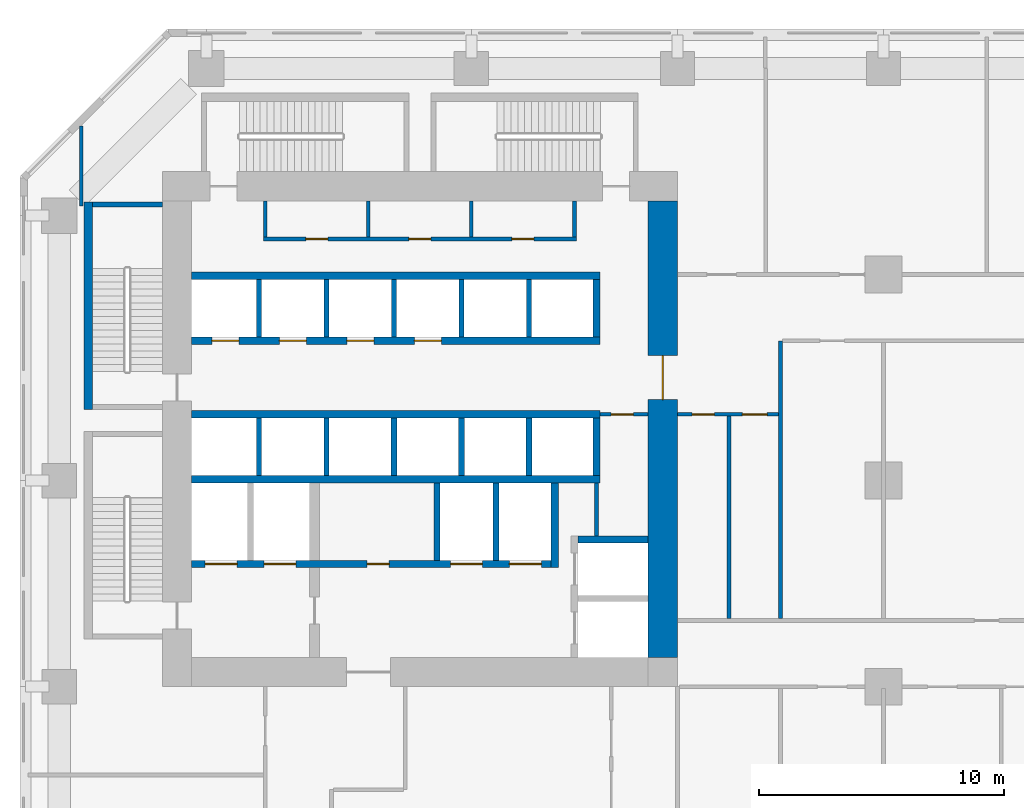
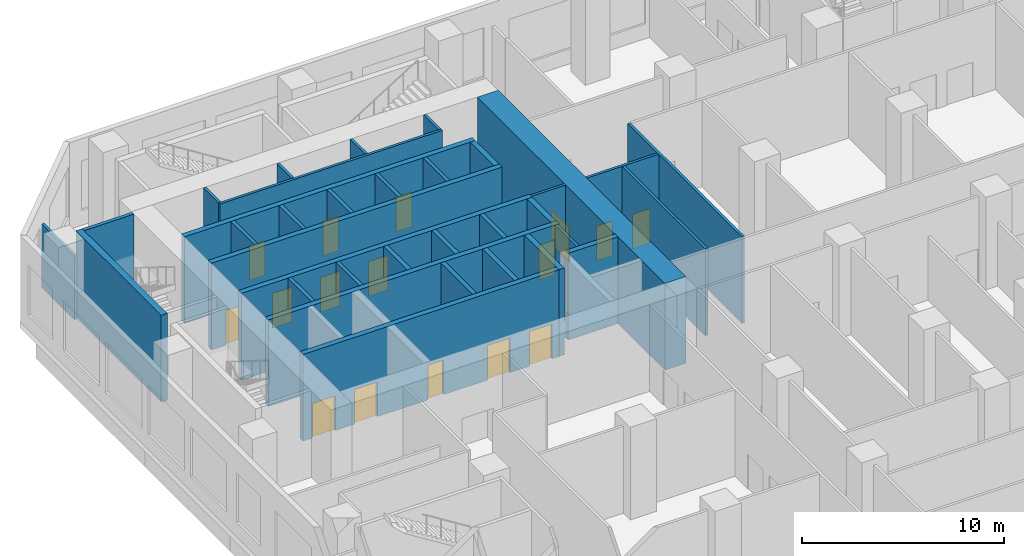
# One storey, part 9 of 19: 35 walls, 16 doors, 16 openings.
"""IFC4 building model written with IfcOpenShell, lengths in metres."""

from ifc_helpers import new_model, si_unit, direction, frame, frame_2d, origin, place, context, subcontext, project, spatial, rectangle, extrude, material, layer, layer_set, type_object, element, fill, save


model = new_model("IFC4")

# Units and contexts
model_context = context("Model", 3, precision=1e-05, world=origin(), true_north=direction((0.0, 1.0)))
body_context = subcontext(model_context, "Body", "Model", "MODEL_VIEW")
ifc_project = project(units=[si_unit("LENGTHUNIT", "METRE"), si_unit("AREAUNIT", "SQUARE_METRE"), si_unit("VOLUMEUNIT", "CUBIC_METRE"), si_unit("PLANEANGLEUNIT", "RADIAN"), si_unit("MASSUNIT", "GRAM", prefix="KILO")], contexts=[model_context])

# Site, building, storey
site_placement = place(None, origin())
site = spatial("IfcSite", under=ifc_project, at=site_placement, CompositionType="ELEMENT")
building_placement = place(site_placement, origin())
building = spatial("IfcBuilding", under=site, at=building_placement, Name="Kawkab Arch Medical Tower", CompositionType="ELEMENT")
storey_placement = place(building_placement, frame((0.0, 0.0, 12.60009765625)))
storey = spatial("IfcBuildingStorey", under=building, at=storey_placement, Name="L03", CompositionType="ELEMENT", Elevation=12.60009765625)

# Wall, opening, door
ifc_material_1 = material(Name="Concrete C60/75", Category="concrete")
ifc_layer_1 = layer(ifc_material_1, 1.199951171875)
ifc_layer_set_1 = layer_set([ifc_layer_1], Name="Concrete C60/75")
wall_type_1 = type_object("IfcWallType", Name="Core ring wall 1200 C60/75", PredefinedType="SHEAR", material=ifc_layer_set_1)
wall_1_placement = place(storey_placement, frame((24.60009765625, -24.0, 0.0), z_axis=(0.0, 0.0, 1.0), x_axis=(0.0, 1.0, 0.0)))
wall_1 = element("IfcWall", 1, at=wall_1_placement, inside=storey, type_object=wall_type_1, Name="L03 core wall", PredefinedType="SHEAR", context=body_context, shape_type="SweptSolid", body=[
    extrude(rectangle(XDim=18.60009765625, YDim=1.199951171875, at=frame_2d((9.300048828125, 0.0))), origin(), (0.0, 0.0, 1.0), 5.25),
])
opening_1_placement = place(wall_1_placement, frame((10.5, 0.0, 0.0)))
opening_1 = element("IfcOpeningElement", 2, at=opening_1_placement, cuts=wall_1, Name="Opening PD", PredefinedType="OPENING", context=body_context, shape_type="SweptSolid", body=[
    extrude(rectangle(XDim=1.800048828125, YDim=2.10009765625, at=frame_2d((0.89990234375, 1.050048828125))), frame((0.0, 0.60986328125, 0.0), z_axis=(0.0, -1.0, 0.0), x_axis=(1.0, 0.0, 0.0)), (0.0, 0.0, 1.0), 1.219970703125),
])
ifc_material_2 = material(Name="Hollow metal fire door leaf")
door_type_1 = type_object("IfcDoorType", Name="Core entrance doors 1800", OperationType="DOUBLE_DOOR_SINGLE_SWING", PredefinedType="DOOR", material=ifc_material_2)
door_1_placement = place(opening_1_placement, origin())
door_1 = element("IfcDoor", 3, at=door_1_placement, inside=storey, type_object=door_type_1, Name="L03 East entrance doors", OperationType="DOUBLE_DOOR_SINGLE_SWING", OverallHeight=2.10009765625, OverallWidth=1.800048828125, PredefinedType="DOOR", context=body_context, shape_type="SweptSolid", body=[
    extrude(rectangle(XDim=1.800048828125, YDim=2.10009765625, at=frame_2d((0.89990234375, 1.050048828125))), frame((0.0, 0.02490234375, 0.0), z_axis=(0.0, -1.0, 0.0), x_axis=(1.0, 0.0, 0.0)), (0.0, 0.0, 1.0), 0.050048828125),
])
fill(opening_1, door_1)

# Wall
ifc_material_3 = material(Name="Gypsum board on steel studs", Category="steel")
ifc_layer_2 = layer(ifc_material_3, 0.14990234375)
ifc_layer_set_2 = layer_set([ifc_layer_2], Name="Gypsum board on steel studs")
wall_type_2 = type_object("IfcWallType", Name="Core room partition 150", PredefinedType="PARTITIONING", material=ifc_layer_set_2)
wall_2_placement = place(storey_placement, frame((21.89990234375, -19.050048828125, 0.0), z_axis=(0.0, 0.0, 1.0), x_axis=(0.0, 1.0, 0.0)))
element("IfcWall", 4, at=wall_2_placement, inside=storey, type_object=wall_type_2, Name="L03 core room partition", PredefinedType="PARTITIONING", context=body_context, shape_type="SweptSolid", body=[
    extrude(rectangle(XDim=2.150146484375, YDim=0.14990234375, at=frame_2d((1.0751953125, 0.0))), origin(), (0.0, 0.0, 1.0), 5.25),
])

# Wall, opening, door
wall_3_placement = place(storey_placement, frame((22.050048828125, -14.10009765625, 0.0), z_axis=(0.0, 0.0, 1.0), x_axis=(1.0, 0.0, 0.0)))
wall_3 = element("IfcWall", 5, at=wall_3_placement, inside=storey, type_object=wall_type_2, Name="L03 core room partition", PredefinedType="PARTITIONING", context=body_context, shape_type="SweptSolid", body=[
    extrude(rectangle(XDim=1.949951171875, YDim=0.14990234375, at=frame_2d((0.97509765625, 0.0))), origin(), (0.0, 0.0, 1.0), 5.25),
])
opening_2_placement = place(wall_3_placement, frame((0.449951171875, 0.0, 0.0)))
opening_2 = element("IfcOpeningElement", 6, at=opening_2_placement, cuts=wall_3, Name="Opening RD", PredefinedType="OPENING", context=body_context, shape_type="SweptSolid", body=[
    extrude(rectangle(XDim=0.89990234375, YDim=2.10009765625, at=frame_2d((0.449951171875, 1.050048828125))), frame((0.0, 0.0849609375, 0.0), z_axis=(0.0, -1.0, 0.0), x_axis=(1.0, 0.0, 0.0)), (0.0, 0.0, 1.0), 0.169921875),
])
ifc_material_4 = material(Name="Hollow metal fire door leaf")
door_type_2 = type_object("IfcDoorType", Name="Core room door 900", OperationType="SINGLE_SWING_LEFT", PredefinedType="DOOR", material=ifc_material_4)
door_2_placement = place(opening_2_placement, origin())
door_2 = element("IfcDoor", 7, at=door_2_placement, inside=storey, type_object=door_type_2, Name="L03 Clean utility room door", OperationType="SINGLE_SWING_LEFT", OverallHeight=2.10009765625, OverallWidth=0.89990234375, PredefinedType="DOOR", context=body_context, shape_type="SweptSolid", body=[
    extrude(rectangle(XDim=0.89990234375, YDim=2.10009765625, at=frame_2d((0.449951171875, 1.050048828125))), frame((0.0, 0.02490234375, 0.0), z_axis=(0.0, -1.0, 0.0), x_axis=(1.0, 0.0, 0.0)), (0.0, 0.0, 1.0), 0.050048828125),
])
fill(opening_2, door_2)

# Wall, openings, doors
wall_4_placement = place(storey_placement, frame((8.324951171875, -6.949951171875, 0.0), z_axis=(0.0, 0.0, 1.0), x_axis=(1.0, 0.0, 0.0)))
wall_4 = element("IfcWall", 8, at=wall_4_placement, inside=storey, type_object=wall_type_2, Name="L03 core room partition", PredefinedType="PARTITIONING", context=body_context, shape_type="SweptSolid", body=[
    extrude(rectangle(XDim=12.75, YDim=0.14990234375, at=frame_2d((6.375, 0.0))), origin(), (0.0, 0.0, 1.0), 5.25),
])
opening_3_placement = place(wall_4_placement, frame((1.72509765625, 0.0, 0.0)))
opening_3 = element("IfcOpeningElement", 9, at=opening_3_placement, cuts=wall_4, Name="Opening RD", PredefinedType="OPENING", context=body_context, shape_type="SweptSolid", body=[
    extrude(rectangle(XDim=0.89990234375, YDim=2.10009765625, at=frame_2d((0.449951171875, 1.050048828125))), frame((0.0, 0.0849609375, 0.0), z_axis=(0.0, -1.0, 0.0), x_axis=(1.0, 0.0, 0.0)), (0.0, 0.0, 1.0), 0.169921875),
])
opening_4_placement = place(wall_4_placement, frame((5.925048828125, 0.0, 0.0)))
opening_4 = element("IfcOpeningElement", 10, at=opening_4_placement, cuts=wall_4, Name="Opening RD", PredefinedType="OPENING", context=body_context, shape_type="SweptSolid", body=[
    extrude(rectangle(XDim=0.89990234375, YDim=2.10009765625, at=frame_2d((0.449951171875, 1.050048828125))), frame((0.0, 0.0849609375, 0.0), z_axis=(0.0, -1.0, 0.0), x_axis=(1.0, 0.0, 0.0)), (0.0, 0.0, 1.0), 0.169921875),
])
opening_5_placement = place(wall_4_placement, frame((10.125, 0.0, 0.0)))
opening_5 = element("IfcOpeningElement", 11, at=opening_5_placement, cuts=wall_4, Name="Opening RD", PredefinedType="OPENING", context=body_context, shape_type="SweptSolid", body=[
    extrude(rectangle(XDim=0.89990234375, YDim=2.10009765625, at=frame_2d((0.449951171875, 1.050048828125))), frame((0.0, 0.0849609375, 0.0), z_axis=(0.0, -1.0, 0.0), x_axis=(1.0, 0.0, 0.0)), (0.0, 0.0, 1.0), 0.169921875),
])
door_3_placement = place(opening_3_placement, origin())
door_3 = element("IfcDoor", 12, at=door_3_placement, inside=storey, type_object=door_type_2, Name="L03 Electrical riser room door", OperationType="SINGLE_SWING_LEFT", OverallHeight=2.10009765625, OverallWidth=0.89990234375, PredefinedType="DOOR", context=body_context, shape_type="SweptSolid", body=[
    extrude(rectangle(XDim=0.89990234375, YDim=2.10009765625, at=frame_2d((0.449951171875, 1.050048828125))), frame((0.0, 0.02490234375, 0.0), z_axis=(0.0, -1.0, 0.0), x_axis=(1.0, 0.0, 0.0)), (0.0, 0.0, 1.0), 0.050048828125),
])
fill(opening_3, door_3)
door_4_placement = place(opening_4_placement, origin())
door_4 = element("IfcDoor", 13, at=door_4_placement, inside=storey, type_object=door_type_2, Name="L03 Equipment store door", OperationType="SINGLE_SWING_LEFT", OverallHeight=2.10009765625, OverallWidth=0.89990234375, PredefinedType="DOOR", context=body_context, shape_type="SweptSolid", body=[
    extrude(rectangle(XDim=0.89990234375, YDim=2.10009765625, at=frame_2d((0.449951171875, 1.050048828125))), frame((0.0, 0.02490234375, 0.0), z_axis=(0.0, -1.0, 0.0), x_axis=(1.0, 0.0, 0.0)), (0.0, 0.0, 1.0), 0.050048828125),
])
fill(opening_4, door_4)
door_5_placement = place(opening_5_placement, origin())
door_5 = element("IfcDoor", 14, at=door_5_placement, inside=storey, type_object=door_type_2, Name="L03 Sprinkler valve room door", OperationType="SINGLE_SWING_LEFT", OverallHeight=2.10009765625, OverallWidth=0.89990234375, PredefinedType="DOOR", context=body_context, shape_type="SweptSolid", body=[
    extrude(rectangle(XDim=0.89990234375, YDim=2.10009765625, at=frame_2d((0.449951171875, 1.050048828125))), frame((0.0, 0.02490234375, 0.0), z_axis=(0.0, -1.0, 0.0), x_axis=(1.0, 0.0, 0.0)), (0.0, 0.0, 1.0), 0.050048828125),
])
fill(opening_5, door_5)

# Walls
for number, where, z_axis, x_axis, name in (
    (15, (8.39990234375, -6.875, 0.0), (0.0, 0.0, 1.0), (0.0, 1.0, 0.0), "L03 core room partition"),
    (16, (12.60009765625, -6.875, 0.0), (0.0, 0.0, 1.0), (0.0, 1.0, 0.0), "L03 core room partition"),
    (17, (16.800048828125, -6.875, 0.0), (0.0, 0.0, 1.0), (0.0, 1.0, 0.0), "L03 core room partition"),
    (18, (21.0, -6.875, 0.0), (0.0, 0.0, 1.0), (0.0, 1.0, 0.0), "L03 core room partition"),
):
    element("IfcWall", number, at=place(storey_placement, frame(where, z_axis=z_axis, x_axis=x_axis)), inside=storey, type_object=wall_type_2, Name=name, PredefinedType="PARTITIONING", context=body_context, shape_type="SweptSolid", body=[
        extrude(rectangle(XDim=1.47509765625, YDim=0.14990234375, at=frame_2d((0.737548828125, 0.0))), origin(), (0.0, 0.0, 1.0), 5.25),
    ])
ifc_material_5 = material(Name="Concrete C60/75", Category="concrete")
ifc_layer_3 = layer(ifc_material_5, 0.25)
ifc_layer_set_3 = layer_set([ifc_layer_3], Name="Concrete C60/75")
wall_type_3 = type_object("IfcWallType", Name="Core shear wall 250 C60/75", PredefinedType="SHEAR", material=ifc_layer_set_3)
for number, where, z_axis, x_axis, name in (
    (19, (15.39990234375, -20.050048828125, 0.0), (0.0, 0.0, 1.0), (0.0, 1.0, 0.0), "L03 core shear wall"),
    (20, (17.800048828125, -20.050048828125, 0.0), (0.0, 0.0, 1.0), (0.0, 1.0, 0.0), "L03 core shear wall"),
):
    element("IfcWall", number, at=place(storey_placement, frame(where, z_axis=z_axis, x_axis=x_axis)), inside=storey, type_object=wall_type_3, Name=name, PredefinedType="SHEAR", context=body_context, shape_type="SweptSolid", body=[
        extrude(rectangle(XDim=3.150146484375, YDim=0.25, at=frame_2d((1.5751953125, 0.0))), origin(), (0.0, 0.0, 1.0), 5.25),
    ])
for number, where, z_axis, x_axis, name in (
    (21, (13.64990234375, -16.60009765625, 0.0), (0.0, 0.0, 1.0), (0.0, 1.0, 0.0), "L03 core shear wall"),
    (22, (16.39990234375, -16.60009765625, 0.0), (0.0, 0.0, 1.0), (0.0, 1.0, 0.0), "L03 core shear wall"),
    (23, (19.14990234375, -16.60009765625, 0.0), (0.0, 0.0, 1.0), (0.0, 1.0, 0.0), "L03 core shear wall"),
):
    element("IfcWall", number, at=place(storey_placement, frame(where, z_axis=z_axis, x_axis=x_axis)), inside=storey, type_object=wall_type_3, Name=name, PredefinedType="SHEAR", context=body_context, shape_type="SweptSolid", body=[
        extrude(rectangle(XDim=2.35009765625, YDim=0.25, at=frame_2d((1.175048828125, 0.0))), origin(), (0.0, 0.0, 1.0), 5.25),
    ])
ifc_material_6 = material(Name="Concrete C60/75", Category="concrete")
ifc_layer_4 = layer(ifc_material_6, 0.300048828125)
ifc_layer_set_4 = layer_set([ifc_layer_4], Name="Concrete C60/75")
wall_type_4 = type_object("IfcWallType", Name="Core shear wall 300 C60/75", PredefinedType="SHEAR", material=ifc_layer_set_4)
wall_5_placement = place(storey_placement, frame((5.39990234375, -8.449951171875, 0.0), z_axis=(0.0, 0.0, 1.0), x_axis=(1.0, 0.0, 0.0)))
element("IfcWall", 24, at=wall_5_placement, inside=storey, type_object=wall_type_4, Name="L03 core shear wall", PredefinedType="SHEAR", context=body_context, shape_type="SweptSolid", body=[
    extrude(rectangle(XDim=16.650146484375, YDim=0.300048828125, at=frame_2d((8.3251953125, 0.0))), origin(), (0.0, 0.0, 1.0), 5.25),
])

# Wall, openings, doors
wall_6_placement = place(storey_placement, frame((5.39990234375, -11.10009765625, 0.0), z_axis=(0.0, 0.0, 1.0), x_axis=(1.0, 0.0, 0.0)))
wall_6 = element("IfcWall", 25, at=wall_6_placement, inside=storey, type_object=wall_type_4, Name="L03 core shear wall", PredefinedType="SHEAR", context=body_context, shape_type="SweptSolid", body=[
    extrude(rectangle(XDim=16.650146484375, YDim=0.300048828125, at=frame_2d((8.3251953125, 0.0))), origin(), (0.0, 0.0, 1.0), 5.25),
])
opening_6_placement = place(wall_6_placement, frame((0.824951171875, 0.0, 0.0)))
opening_6 = element("IfcOpeningElement", 26, at=opening_6_placement, cuts=wall_6, Name="Opening LD1", PredefinedType="OPENING", context=body_context, shape_type="SweptSolid", body=[
    extrude(rectangle(XDim=1.10009765625, YDim=2.10009765625, at=frame_2d((0.550048828125, 1.050048828125))), frame((0.0, 0.159912109375, 0.0), z_axis=(0.0, -1.0, 0.0), x_axis=(1.0, 0.0, 0.0)), (0.0, 0.0, 1.0), 0.320068359375),
])
opening_7_placement = place(wall_6_placement, frame((3.574951171875, 0.0, 0.0)))
opening_7 = element("IfcOpeningElement", 27, at=opening_7_placement, cuts=wall_6, Name="Opening LD1", PredefinedType="OPENING", context=body_context, shape_type="SweptSolid", body=[
    extrude(rectangle(XDim=1.10009765625, YDim=2.10009765625, at=frame_2d((0.550048828125, 1.050048828125))), frame((0.0, 0.159912109375, 0.0), z_axis=(0.0, -1.0, 0.0), x_axis=(1.0, 0.0, 0.0)), (0.0, 0.0, 1.0), 0.320068359375),
])
opening_8_placement = place(wall_6_placement, frame((6.324951171875, 0.0, 0.0)))
opening_8 = element("IfcOpeningElement", 28, at=opening_8_placement, cuts=wall_6, Name="Opening LD1", PredefinedType="OPENING", context=body_context, shape_type="SweptSolid", body=[
    extrude(rectangle(XDim=1.10009765625, YDim=2.10009765625, at=frame_2d((0.550048828125, 1.050048828125))), frame((0.0, 0.159912109375, 0.0), z_axis=(0.0, -1.0, 0.0), x_axis=(1.0, 0.0, 0.0)), (0.0, 0.0, 1.0), 0.320068359375),
])
opening_9_placement = place(wall_6_placement, frame((9.074951171875, 0.0, 0.0)))
opening_9 = element("IfcOpeningElement", 29, at=opening_9_placement, cuts=wall_6, Name="Opening LD1", PredefinedType="OPENING", context=body_context, shape_type="SweptSolid", body=[
    extrude(rectangle(XDim=1.10009765625, YDim=2.10009765625, at=frame_2d((0.550048828125, 1.050048828125))), frame((0.0, 0.159912109375, 0.0), z_axis=(0.0, -1.0, 0.0), x_axis=(1.0, 0.0, 0.0)), (0.0, 0.0, 1.0), 0.320068359375),
])
ifc_material_7 = material(Name="Stainless steel lift door leaf", Category="steel")
door_type_3 = type_object("IfcDoorType", Name="Lift landing door 1100", OperationType="DOUBLE_DOOR_SLIDING", PredefinedType="DOOR", material=ifc_material_7)
door_6_placement = place(opening_6_placement, origin())
door_6 = element("IfcDoor", 30, at=door_6_placement, inside=storey, type_object=door_type_3, Name="L03 Lift landing door LP1", OperationType="DOUBLE_DOOR_SLIDING", OverallHeight=2.10009765625, OverallWidth=1.10009765625, PredefinedType="DOOR", context=body_context, shape_type="SweptSolid", body=[
    extrude(rectangle(XDim=1.10009765625, YDim=2.10009765625, at=frame_2d((0.550048828125, 1.050048828125))), frame((0.0, 0.02490234375, 0.0), z_axis=(0.0, -1.0, 0.0), x_axis=(1.0, 0.0, 0.0)), (0.0, 0.0, 1.0), 0.050048828125),
])
fill(opening_6, door_6)
door_7_placement = place(opening_7_placement, origin())
door_7 = element("IfcDoor", 31, at=door_7_placement, inside=storey, type_object=door_type_3, Name="L03 Lift landing door LP2", OperationType="DOUBLE_DOOR_SLIDING", OverallHeight=2.10009765625, OverallWidth=1.10009765625, PredefinedType="DOOR", context=body_context, shape_type="SweptSolid", body=[
    extrude(rectangle(XDim=1.10009765625, YDim=2.10009765625, at=frame_2d((0.550048828125, 1.050048828125))), frame((0.0, 0.02490234375, 0.0), z_axis=(0.0, -1.0, 0.0), x_axis=(1.0, 0.0, 0.0)), (0.0, 0.0, 1.0), 0.050048828125),
])
fill(opening_7, door_7)
door_8_placement = place(opening_8_placement, origin())
door_8 = element("IfcDoor", 32, at=door_8_placement, inside=storey, type_object=door_type_3, Name="L03 Lift landing door LP3", OperationType="DOUBLE_DOOR_SLIDING", OverallHeight=2.10009765625, OverallWidth=1.10009765625, PredefinedType="DOOR", context=body_context, shape_type="SweptSolid", body=[
    extrude(rectangle(XDim=1.10009765625, YDim=2.10009765625, at=frame_2d((0.550048828125, 1.050048828125))), frame((0.0, 0.02490234375, 0.0), z_axis=(0.0, -1.0, 0.0), x_axis=(1.0, 0.0, 0.0)), (0.0, 0.0, 1.0), 0.050048828125),
])
fill(opening_8, door_8)
door_9_placement = place(opening_9_placement, origin())
door_9 = element("IfcDoor", 33, at=door_9_placement, inside=storey, type_object=door_type_3, Name="L03 Lift landing door LP4", OperationType="DOUBLE_DOOR_SLIDING", OverallHeight=2.10009765625, OverallWidth=1.10009765625, PredefinedType="DOOR", context=body_context, shape_type="SweptSolid", body=[
    extrude(rectangle(XDim=1.10009765625, YDim=2.10009765625, at=frame_2d((0.550048828125, 1.050048828125))), frame((0.0, 0.02490234375, 0.0), z_axis=(0.0, -1.0, 0.0), x_axis=(1.0, 0.0, 0.0)), (0.0, 0.0, 1.0), 0.050048828125),
])
fill(opening_9, door_9)

# Walls
for number, where, z_axis, x_axis, name in (
    (34, (5.39990234375, -14.10009765625, 0.0), (0.0, 0.0, 1.0), (1.0, 0.0, 0.0), "L03 core shear wall"),
    (35, (5.39990234375, -16.75, 0.0), (0.0, 0.0, 1.0), (1.0, 0.0, 0.0), "L03 core shear wall"),
):
    element("IfcWall", number, at=place(storey_placement, frame(where, z_axis=z_axis, x_axis=x_axis)), inside=storey, type_object=wall_type_4, Name=name, PredefinedType="SHEAR", context=body_context, shape_type="SweptSolid", body=[
        extrude(rectangle(XDim=16.650146484375, YDim=0.300048828125, at=frame_2d((8.3251953125, 0.0))), origin(), (0.0, 0.0, 1.0), 5.25),
    ])

# Wall, openings, doors
wall_7_placement = place(storey_placement, frame((5.39990234375, -20.199951171875, 0.0), z_axis=(0.0, 0.0, 1.0), x_axis=(1.0, 0.0, 0.0)))
wall_7 = element("IfcWall", 36, at=wall_7_placement, inside=storey, type_object=wall_type_4, Name="L03 core shear wall", PredefinedType="SHEAR", context=body_context, shape_type="SweptSolid", body=[
    extrude(rectangle(XDim=14.650146484375, YDim=0.300048828125, at=frame_2d((7.3251953125, 0.0))), origin(), (0.0, 0.0, 1.0), 5.25),
])
opening_10_placement = place(wall_7_placement, frame((10.550048828125, 0.0, 0.0)))
opening_10 = element("IfcOpeningElement", 37, at=opening_10_placement, cuts=wall_7, Name="Opening LD2", PredefinedType="OPENING", context=body_context, shape_type="SweptSolid", body=[
    extrude(rectangle(XDim=1.300048828125, YDim=2.10009765625, at=frame_2d((0.64990234375, 1.050048828125))), frame((0.0, 0.159912109375, 0.0), z_axis=(0.0, -1.0, 0.0), x_axis=(1.0, 0.0, 0.0)), (0.0, 0.0, 1.0), 0.320068359375),
])
opening_11_placement = place(wall_7_placement, frame((12.949951171875, 0.0, 0.0)))
opening_11 = element("IfcOpeningElement", 38, at=opening_11_placement, cuts=wall_7, Name="Opening LD2", PredefinedType="OPENING", context=body_context, shape_type="SweptSolid", body=[
    extrude(rectangle(XDim=1.300048828125, YDim=2.10009765625, at=frame_2d((0.64990234375, 1.050048828125))), frame((0.0, 0.159912109375, 0.0), z_axis=(0.0, -1.0, 0.0), x_axis=(1.0, 0.0, 0.0)), (0.0, 0.0, 1.0), 0.320068359375),
])
opening_12_placement = place(wall_7_placement, frame((0.550048828125, 0.0, 0.0)))
opening_12 = element("IfcOpeningElement", 39, at=opening_12_placement, cuts=wall_7, Name="Opening LD2", PredefinedType="OPENING", context=body_context, shape_type="SweptSolid", body=[
    extrude(rectangle(XDim=1.300048828125, YDim=2.10009765625, at=frame_2d((0.64990234375, 1.050048828125))), frame((0.0, 0.159912109375, 0.0), z_axis=(0.0, -1.0, 0.0), x_axis=(1.0, 0.0, 0.0)), (0.0, 0.0, 1.0), 0.320068359375),
])
opening_13_placement = place(wall_7_placement, frame((2.949951171875, 0.0, 0.0)))
opening_13 = element("IfcOpeningElement", 40, at=opening_13_placement, cuts=wall_7, Name="Opening LD2", PredefinedType="OPENING", context=body_context, shape_type="SweptSolid", body=[
    extrude(rectangle(XDim=1.300048828125, YDim=2.10009765625, at=frame_2d((0.64990234375, 1.050048828125))), frame((0.0, 0.159912109375, 0.0), z_axis=(0.0, -1.0, 0.0), x_axis=(1.0, 0.0, 0.0)), (0.0, 0.0, 1.0), 0.320068359375),
])
opening_14_placement = place(wall_7_placement, frame((7.14990234375, 0.0, 0.0)))
opening_14 = element("IfcOpeningElement", 41, at=opening_14_placement, cuts=wall_7, Name="Opening RD", PredefinedType="OPENING", context=body_context, shape_type="SweptSolid", body=[
    extrude(rectangle(XDim=0.89990234375, YDim=2.10009765625, at=frame_2d((0.449951171875, 1.050048828125))), frame((0.0, 0.159912109375, 0.0), z_axis=(0.0, -1.0, 0.0), x_axis=(1.0, 0.0, 0.0)), (0.0, 0.0, 1.0), 0.320068359375),
])
door_10_placement = place(opening_14_placement, origin())
door_10 = element("IfcDoor", 42, at=door_10_placement, inside=storey, type_object=door_type_2, Name="L03 Equipment store door", OperationType="SINGLE_SWING_LEFT", OverallHeight=2.10009765625, OverallWidth=0.89990234375, PredefinedType="DOOR", context=body_context, shape_type="SweptSolid", body=[
    extrude(rectangle(XDim=0.89990234375, YDim=2.10009765625, at=frame_2d((0.449951171875, 1.050048828125))), frame((0.0, 0.02490234375, 0.0), z_axis=(0.0, -1.0, 0.0), x_axis=(1.0, 0.0, 0.0)), (0.0, 0.0, 1.0), 0.050048828125),
])
fill(opening_14, door_10)
ifc_material_8 = material(Name="Stainless steel lift door leaf", Category="steel")
door_type_4 = type_object("IfcDoorType", Name="Lift landing door 1300", OperationType="DOUBLE_DOOR_SLIDING", PredefinedType="DOOR", material=ifc_material_8)
door_11_placement = place(opening_10_placement, origin())
door_11 = element("IfcDoor", 43, at=door_11_placement, inside=storey, type_object=door_type_4, Name="L03 Lift landing door BD3", OperationType="DOUBLE_DOOR_SLIDING", OverallHeight=2.10009765625, OverallWidth=1.300048828125, PredefinedType="DOOR", context=body_context, shape_type="SweptSolid", body=[
    extrude(rectangle(XDim=1.300048828125, YDim=2.10009765625, at=frame_2d((0.64990234375, 1.050048828125))), frame((0.0, 0.02490234375, 0.0), z_axis=(0.0, -1.0, 0.0), x_axis=(1.0, 0.0, 0.0)), (0.0, 0.0, 1.0), 0.050048828125),
])
fill(opening_10, door_11)
door_12_placement = place(opening_11_placement, origin())
door_12 = element("IfcDoor", 44, at=door_12_placement, inside=storey, type_object=door_type_4, Name="L03 Lift landing door BD4", OperationType="DOUBLE_DOOR_SLIDING", OverallHeight=2.10009765625, OverallWidth=1.300048828125, PredefinedType="DOOR", context=body_context, shape_type="SweptSolid", body=[
    extrude(rectangle(XDim=1.300048828125, YDim=2.10009765625, at=frame_2d((0.64990234375, 1.050048828125))), frame((0.0, 0.02490234375, 0.0), z_axis=(0.0, -1.0, 0.0), x_axis=(1.0, 0.0, 0.0)), (0.0, 0.0, 1.0), 0.050048828125),
])
fill(opening_11, door_12)
door_13_placement = place(opening_12_placement, origin())
door_13 = element("IfcDoor", 45, at=door_13_placement, inside=storey, type_object=door_type_4, Name="L03 Lift landing door FL1", OperationType="DOUBLE_DOOR_SLIDING", OverallHeight=2.10009765625, OverallWidth=1.300048828125, PredefinedType="DOOR", context=body_context, shape_type="SweptSolid", body=[
    extrude(rectangle(XDim=1.300048828125, YDim=2.10009765625, at=frame_2d((0.64990234375, 1.050048828125))), frame((0.0, 0.02490234375, 0.0), z_axis=(0.0, -1.0, 0.0), x_axis=(1.0, 0.0, 0.0)), (0.0, 0.0, 1.0), 0.050048828125),
])
fill(opening_12, door_13)
door_14_placement = place(opening_13_placement, origin())
door_14 = element("IfcDoor", 46, at=door_14_placement, inside=storey, type_object=door_type_4, Name="L03 Lift landing door FL2", OperationType="DOUBLE_DOOR_SLIDING", OverallHeight=2.10009765625, OverallWidth=1.300048828125, PredefinedType="DOOR", context=body_context, shape_type="SweptSolid", body=[
    extrude(rectangle(XDim=1.300048828125, YDim=2.10009765625, at=frame_2d((0.64990234375, 1.050048828125))), frame((0.0, 0.02490234375, 0.0), z_axis=(0.0, -1.0, 0.0), x_axis=(1.0, 0.0, 0.0)), (0.0, 0.0, 1.0), 0.050048828125),
])
fill(opening_13, door_14)

# Walls
wall_8_placement = place(storey_placement, frame((20.199951171875, -20.35009765625, 0.0), z_axis=(0.0, 0.0, 1.0), x_axis=(0.0, 1.0, 0.0)))
element("IfcWall", 47, at=wall_8_placement, inside=storey, type_object=wall_type_4, Name="L03 core shear wall", PredefinedType="SHEAR", context=body_context, shape_type="SweptSolid", body=[
    extrude(rectangle(XDim=3.4501953125, YDim=0.300048828125, at=frame_2d((1.72509765625, 0.0))), origin(), (0.0, 0.0, 1.0), 5.25),
])
wall_9_placement = place(storey_placement, frame((21.89990234375, -10.949951171875, 0.0), z_axis=(0.0, 0.0, 1.0), x_axis=(0.0, 1.0, 0.0)))
element("IfcWall", 48, at=wall_9_placement, inside=storey, type_object=wall_type_4, Name="L03 core shear wall", PredefinedType="SHEAR", context=body_context, shape_type="SweptSolid", body=[
    extrude(rectangle(XDim=2.349853515625, YDim=0.300048828125, at=frame_2d((1.1748046875, 0.0))), origin(), (0.0, 0.0, 1.0), 5.25),
])
wall_10_placement = place(storey_placement, frame((21.89990234375, -16.60009765625, 0.0), z_axis=(0.0, 0.0, 1.0), x_axis=(0.0, 1.0, 0.0)))
element("IfcWall", 49, at=wall_10_placement, inside=storey, type_object=wall_type_4, Name="L03 core shear wall", PredefinedType="SHEAR", context=body_context, shape_type="SweptSolid", body=[
    extrude(rectangle(XDim=2.35009765625, YDim=0.300048828125, at=frame_2d((1.175048828125, 0.0))), origin(), (0.0, 0.0, 1.0), 5.25),
])
wall_11_placement = place(storey_placement, frame((21.14990234375, -19.199951171875, 0.0), z_axis=(0.0, 0.0, 1.0), x_axis=(1.0, 0.0, 0.0)))
element("IfcWall", 50, at=wall_11_placement, inside=storey, type_object=wall_type_4, Name="L03 core shear wall", PredefinedType="SHEAR", context=body_context, shape_type="SweptSolid", body=[
    extrude(rectangle(XDim=2.85009765625, YDim=0.300048828125, at=frame_2d((1.425048828125, 0.0))), origin(), (0.0, 0.0, 1.0), 5.25),
])
ifc_material_9 = material(Name="Dense concrete blockwork", Category="masonry")
ifc_layer_5 = layer(ifc_material_9, 0.199951171875)
ifc_layer_set_5 = layer_set([ifc_layer_5], Name="Dense concrete blockwork")
wall_type_5 = type_object("IfcWallType", Name="Lift shaft partition 200", PredefinedType="PARTITIONING", material=ifc_layer_set_5)
for number, where, z_axis, x_axis, name in (
    (51, (8.14990234375, -10.949951171875, 0.0), (0.0, 0.0, 1.0), (0.0, 1.0, 0.0), "L03 lift shaft partition"),
    (52, (10.89990234375, -10.949951171875, 0.0), (0.0, 0.0, 1.0), (0.0, 1.0, 0.0), "L03 lift shaft partition"),
    (53, (13.64990234375, -10.949951171875, 0.0), (0.0, 0.0, 1.0), (0.0, 1.0, 0.0), "L03 lift shaft partition"),
    (54, (16.39990234375, -10.949951171875, 0.0), (0.0, 0.0, 1.0), (0.0, 1.0, 0.0), "L03 lift shaft partition"),
    (55, (19.14990234375, -10.949951171875, 0.0), (0.0, 0.0, 1.0), (0.0, 1.0, 0.0), "L03 lift shaft partition"),
):
    element("IfcWall", number, at=place(storey_placement, frame(where, z_axis=z_axis, x_axis=x_axis)), inside=storey, type_object=wall_type_5, Name=name, PredefinedType="PARTITIONING", context=body_context, shape_type="SweptSolid", body=[
        extrude(rectangle(XDim=2.349853515625, YDim=0.199951171875, at=frame_2d((1.1748046875, 0.0))), origin(), (0.0, 0.0, 1.0), 5.25),
    ])
for number, where, z_axis, x_axis, name in (
    (56, (8.14990234375, -16.60009765625, 0.0), (0.0, 0.0, 1.0), (0.0, 1.0, 0.0), "L03 lift shaft partition"),
    (57, (10.89990234375, -16.60009765625, 0.0), (0.0, 0.0, 1.0), (0.0, 1.0, 0.0), "L03 lift shaft partition"),
):
    element("IfcWall", number, at=place(storey_placement, frame(where, z_axis=z_axis, x_axis=x_axis)), inside=storey, type_object=wall_type_5, Name=name, PredefinedType="PARTITIONING", context=body_context, shape_type="SweptSolid", body=[
        extrude(rectangle(XDim=2.35009765625, YDim=0.199951171875, at=frame_2d((1.175048828125, 0.0))), origin(), (0.0, 0.0, 1.0), 5.25),
    ])

# Wall, openings, doors
ifc_material_10 = material(Name="Gypsum board partition on steel studs, mineral wool", Category="steel")
ifc_layer_6 = layer(ifc_material_10, 0.14990234375)
ifc_layer_set_6 = layer_set([ifc_layer_6], Name="Gypsum board partition on steel studs, mineral wool")
wall_type_6 = type_object("IfcWallType", Name="Partition 150", PredefinedType="PARTITIONING", material=ifc_layer_set_6)
wall_12_placement = place(storey_placement, frame((25.199951171875, -14.10009765625, 0.0), z_axis=(0.0, 0.0, 1.0), x_axis=(1.0, 0.0, 0.0)))
wall_12 = element("IfcWall", 58, at=wall_12_placement, inside=storey, type_object=wall_type_6, Name="Partition 150 w037", PredefinedType="PARTITIONING", context=body_context, shape_type="SweptSolid", body=[
    extrude(rectangle(XDim=4.125, YDim=0.14990234375, at=frame_2d((2.0625, 0.0))), origin(), (0.0, 0.0, 1.0), 5.25),
])
opening_15_placement = place(wall_12_placement, frame((0.60009765625, 0.0, 0.0)))
opening_15 = element("IfcOpeningElement", 59, at=opening_15_placement, cuts=wall_12, Name="Opening P03-048", PredefinedType="OPENING", context=body_context, shape_type="SweptSolid", body=[
    extrude(rectangle(XDim=0.89990234375, YDim=2.10009765625, at=frame_2d((0.449951171875, 1.050048828125))), frame((0.0, 0.0849609375, 0.0), z_axis=(0.0, -1.0, 0.0), x_axis=(1.0, 0.0, 0.0)), (0.0, 0.0, 1.0), 0.169921875),
])
opening_16_placement = place(wall_12_placement, frame((2.64990234375, 0.0, 0.0)))
opening_16 = element("IfcOpeningElement", 60, at=opening_16_placement, cuts=wall_12, Name="Opening P03-049", PredefinedType="OPENING", context=body_context, shape_type="SweptSolid", body=[
    extrude(rectangle(XDim=1.0, YDim=2.10009765625, at=frame_2d((0.5, 1.050048828125))), frame((0.0, 0.0849609375, 0.0), z_axis=(0.0, -1.0, 0.0), x_axis=(1.0, 0.0, 0.0)), (0.0, 0.0, 1.0), 0.169921875),
])
ifc_material_11 = material(Name="Timber door leaf", Category="wood")
door_type_5 = type_object("IfcDoorType", Name="Single door 1000x2100", OperationType="NOTDEFINED", PredefinedType="DOOR", material=ifc_material_11)
door_15_placement = place(opening_16_placement, origin())
door_15 = element("IfcDoor", 61, at=door_15_placement, inside=storey, type_object=door_type_5, Name="Door P03-049", OperationType="SINGLE_SWING_LEFT", OverallHeight=2.10009765625, OverallWidth=1.0, PredefinedType="DOOR", context=body_context, shape_type="SweptSolid", body=[
    extrude(rectangle(XDim=1.0, YDim=2.10009765625, at=frame_2d((0.5, 1.050048828125))), frame((0.0, 0.02490234375, 0.0), z_axis=(0.0, -1.0, 0.0), x_axis=(1.0, 0.0, 0.0)), (0.0, 0.0, 1.0), 0.050048828125),
])
fill(opening_16, door_15)
ifc_material_12 = material(Name="Timber door leaf", Category="wood")
door_type_6 = type_object("IfcDoorType", Name="Single door 900x2100", OperationType="NOTDEFINED", PredefinedType="DOOR", material=ifc_material_12)
door_16_placement = place(opening_15_placement, origin())
door_16 = element("IfcDoor", 62, at=door_16_placement, inside=storey, type_object=door_type_6, Name="Door P03-048", OperationType="SINGLE_SWING_RIGHT", OverallHeight=2.10009765625, OverallWidth=0.89990234375, PredefinedType="DOOR", context=body_context, shape_type="SweptSolid", body=[
    extrude(rectangle(XDim=0.89990234375, YDim=2.10009765625, at=frame_2d((0.449951171875, 1.050048828125))), frame((0.0, 0.02490234375, 0.0), z_axis=(0.0, -1.0, 0.0), x_axis=(1.0, 0.0, 0.0)), (0.0, 0.0, 1.0), 0.050048828125),
])
fill(opening_15, door_16)

# Walls
wall_13_placement = place(storey_placement, frame((0.89990234375, -5.60009765625, 0.0), z_axis=(0.0, 0.0, 1.0), x_axis=(0.0, 1.0, 0.0)))
element("IfcWall", 63, at=wall_13_placement, inside=storey, type_object=wall_type_6, Name="Partition 150 w046", PredefinedType="PARTITIONING", context=body_context, shape_type="SweptSolid", body=[
    extrude(rectangle(XDim=3.2470703125, YDim=0.14990234375, at=frame_2d((1.62353515625, 0.0))), origin(), (0.0, 0.0, 1.0), 3.849853515625),
])
wall_14_placement = place(storey_placement, frame((27.300048828125, -22.425048828125, 0.0), z_axis=(0.0, 0.0, 1.0), x_axis=(0.0, 1.0, 0.0)))
element("IfcWall", 64, at=wall_14_placement, inside=storey, type_object=wall_type_6, Name="Partition 150 w057", PredefinedType="PARTITIONING", context=body_context, shape_type="SweptSolid", body=[
    extrude(rectangle(XDim=8.25, YDim=0.14990234375, at=frame_2d((4.125, 0.0))), origin(), (0.0, 0.0, 1.0), 5.25),
])
wall_15_placement = place(storey_placement, frame((29.39990234375, -22.425048828125, 0.0), z_axis=(0.0, 0.0, 1.0), x_axis=(0.0, 1.0, 0.0)))
element("IfcWall", 65, at=wall_15_placement, inside=storey, type_object=wall_type_6, Name="Partition 150 w062", PredefinedType="PARTITIONING", context=body_context, shape_type="SweptSolid", body=[
    extrude(rectangle(XDim=11.324951171875, YDim=0.14990234375, at=frame_2d((5.66259765625, 0.0))), origin(), (0.0, 0.0, 1.0), 5.25),
])
ifc_material_13 = material(Name="Concrete C50/60", Category="concrete")
ifc_layer_7 = layer(ifc_material_13, 0.199951171875)
ifc_layer_set_7 = layer_set([ifc_layer_7], Name="Concrete C50/60")
wall_type_7 = type_object("IfcWallType", Name="Stair enclosure wall 200 C50/60", PredefinedType="SHEAR", material=ifc_layer_set_7)
wall_16_placement = place(storey_placement, frame((1.35009765625, -5.550048828125, 0.0), z_axis=(0.0, 0.0, 1.0), x_axis=(1.0, 0.0, 0.0)))
element("IfcWall", 66, at=wall_16_placement, inside=storey, type_object=wall_type_7, Name="L03 stair enclosure wall", PredefinedType="SHEAR", context=body_context, shape_type="SweptSolid", body=[
    extrude(rectangle(XDim=2.849853515625, YDim=0.199951171875, at=frame_2d((1.4248046875, 0.0))), origin(), (0.0, 0.0, 1.0), 5.25),
])
ifc_material_14 = material(Name="Concrete C50/60", Category="concrete")
ifc_layer_8 = layer(ifc_material_14, 0.35009765625)
ifc_layer_set_8 = layer_set([ifc_layer_8], Name="Concrete C50/60")
wall_type_8 = type_object("IfcWallType", Name="Stair enclosure wall 350 C50/60", PredefinedType="SHEAR", material=ifc_layer_set_8)
wall_17_placement = place(storey_placement, frame((1.175048828125, -13.89990234375, 0.0), z_axis=(0.0, 0.0, 1.0), x_axis=(0.0, 1.0, 0.0)))
element("IfcWall", 67, at=wall_17_placement, inside=storey, type_object=wall_type_8, Name="L03 stair enclosure wall", PredefinedType="SHEAR", context=body_context, shape_type="SweptSolid", body=[
    extrude(rectangle(XDim=8.449951171875, YDim=0.35009765625, at=frame_2d((4.22509765625, 0.0))), origin(), (0.0, 0.0, 1.0), 5.25),
])

save(model, "model.ifc")
